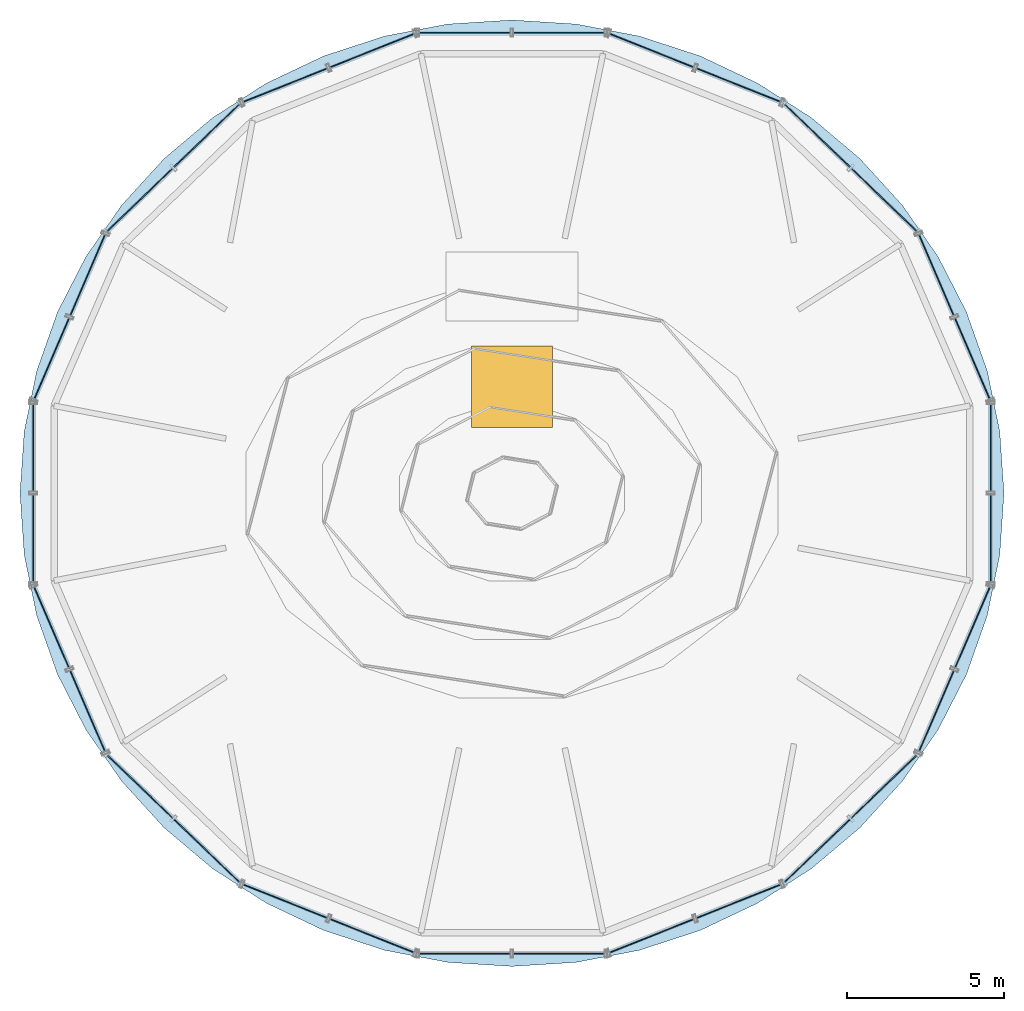
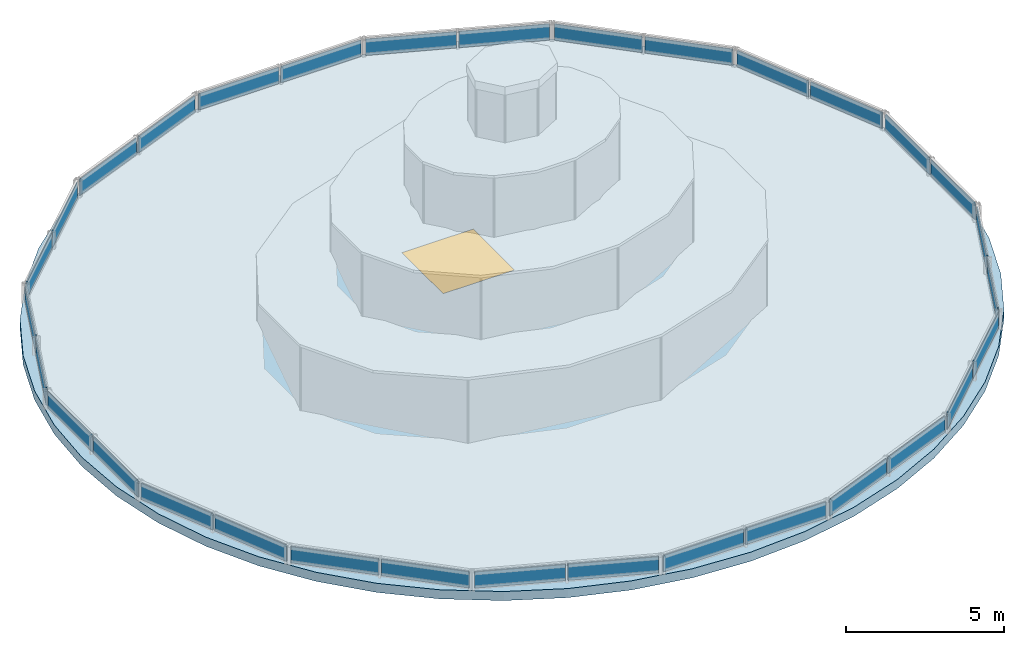
# One storey, part 7 of 8: 32 plates, 1 slab, 1 window, 1 opening, 16 elements without a shape of their own.
"""IFC4 building model written with IfcOpenShell, lengths in metres."""

from ifc_helpers import new_model, si_unit, direction, frame, origin, origin_2d, place, context, subcontext, project, spatial, polyline, rectangle, outline, extrude, source, transform, mapped, material, layer, layer_set, type_object, element, fill, aggregate, save


model = new_model("IFC4")

# Units and contexts
model_context = context("Model", 3, precision=1e-05, world=origin(), true_north=direction((-0.2419218956, 0.970295726276)))
body_context = subcontext(model_context, "Body", "Model", "MODEL_VIEW")
ifc_project = project(units=[si_unit("LENGTHUNIT", "METRE"), si_unit("AREAUNIT", "SQUARE_METRE"), si_unit("VOLUMEUNIT", "CUBIC_METRE"), si_unit("PLANEANGLEUNIT", "RADIAN"), si_unit("MASSUNIT", "GRAM", prefix="KILO")], contexts=[model_context])

# Site, building, storey
site_placement = place(None, origin())
site = spatial("IfcSite", under=ifc_project, at=site_placement, CompositionType="ELEMENT")
building_placement = place(site_placement, origin())
building = spatial("IfcBuilding", under=site, at=building_placement, Name="Cobrevalo Terracotta Tower", CompositionType="ELEMENT")
storey_placement = place(building_placement, frame((0.0, 0.0, 337.300048828125)))
storey = spatial("IfcBuildingStorey", under=building, at=storey_placement, Name="RF", CompositionType="ELEMENT", Elevation=337.300048828125)

# Slab, opening, window
ifc_material_1 = material(Name="Concrete C50", Category="concrete")
ifc_layer_1 = layer(ifc_material_1, 0.35009765625)
ifc_layer_set_1 = layer_set([ifc_layer_1], Name="Concrete C50")
slab_type = type_object("IfcSlabType", Name="Crown apex cap roof slab 350 mm", PredefinedType="ROOF", material=ifc_layer_set_1)
slab_placement = place(storey_placement, frame((0.0, 0.0, -0.35009765625)))
slab = element("IfcSlab", 1, at=slab_placement, inside=storey, type_object=slab_type, Name="RF faceted crown apex roof cap slab", PredefinedType="ROOF", context=body_context, shape_type="SweptSolid", body=[
    extrude(outline(polyline([(53.565673828125, 24.8291015625), (53.1650390625, 22.891845703125), (52.5048828125, 21.021484375), (51.5966796875, 19.25), (50.45556640625, 17.607666015625), (49.1015625, 16.122802734375), (47.5576171875, 14.8203125), (45.85009765625, 13.722900390625), (44.008056640625, 12.849365234375), (42.0634765625, 12.214599609375), (40.04931640625, 11.8291015625), (38.0, 11.699951171875), (35.95068359375, 11.8291015625), (33.9365234375, 12.214599609375), (31.991943359375, 12.849365234375), (30.14990234375, 13.722900390625), (28.4423828125, 14.8203125), (26.8984375, 16.122802734375), (25.54443359375, 17.607666015625), (24.4033203125, 19.25), (23.4951171875, 21.021484375), (22.8349609375, 22.891845703125), (22.434326171875, 24.8291015625), (22.300048828125, 26.800048828125), (22.434326171875, 28.77099609375), (22.8349609375, 30.708251953125), (23.4951171875, 32.57861328125), (24.4033203125, 34.35009765625), (25.54443359375, 35.9921875), (26.8984375, 37.477294921875), (28.4423828125, 38.779541015625), (30.14990234375, 39.876953125), (31.991943359375, 40.75048828125), (33.9365234375, 41.385498046875), (35.95068359375, 41.770751953125), (38.0, 41.89990234375), (40.04931640625, 41.770751953125), (42.0634765625, 41.385498046875), (44.008056640625, 40.75048828125), (45.85009765625, 39.876953125), (47.5576171875, 38.779541015625), (49.1015625, 37.477294921875), (50.45556640625, 35.9921875), (51.5966796875, 34.35009765625), (52.5048828125, 32.57861328125), (53.1650390625, 30.708251953125), (53.565673828125, 28.77099609375), (53.699951171875, 26.800048828125), (53.565673828125, 24.8291015625)]), holes=[polyline([(39.300048828125, 28.89990234375), (39.300048828125, 31.5), (36.699951171875, 31.5), (36.699951171875, 28.89990234375), (39.300048828125, 28.89990234375)])]), origin(), (0.0, 0.0, 1.0), 0.35009765625),
])
opening_placement = place(slab_placement, frame((38.0, 30.199951171875, 0.0)))
opening = element("IfcOpeningElement", 2, at=opening_placement, cuts=slab, Name="Opening WN-03", PredefinedType="OPENING", context=body_context, shape_type="SweptSolid", body=[
    extrude(rectangle(XDim=2.60009765625, YDim=2.60009765625, at=origin_2d()), origin(), (0.0, 0.0, 1.0), 0.35009765625),
])
ifc_material_2 = material(Name="Solar-control low-E double glazing", Category="glass")
window_type = type_object("IfcWindowType", Name="Crown apex lantern glass skylight 2600x2600", PartitioningType="SINGLE_PANEL", PredefinedType="SKYLIGHT", material=ifc_material_2)
window_placement = place(opening_placement, frame((0.0, 0.0, 0.31005859375)))
window = element("IfcWindow", 3, at=window_placement, inside=storey, type_object=window_type, Name="RF crown apex lantern skylight", OverallHeight=2.60009765625, OverallWidth=2.60009765625, PartitioningType="SINGLE_PANEL", PredefinedType="SKYLIGHT", context=body_context, shape_type="SweptSolid", body=[
    extrude(rectangle(XDim=2.60009765625, YDim=2.60009765625, at=origin_2d()), origin(), (0.0, 0.0, 1.0), 0.0400390625),
])
fill(opening, window)

# Curtain wall, plates
ifc_material_3 = material(Name="Anodized aluminium", Category="aluminium")
curtain_wall_type = type_object("IfcCurtainWallType", Name="Faceted glass-point crown structural glazing system CW-CR", PredefinedType="NOTDEFINED", material=ifc_material_3)
curtain_wall_1_placement = place(storey_placement, origin())
curtain_wall_1 = element("IfcCurtainWall", 4, at=curtain_wall_1_placement, inside=storey, type_object=curtain_wall_type, Name="RF curtain wall CW-CRN-RF-S01", PredefinedType="NOTDEFINED")
ifc_material_4 = material(Name="Structural laminated low-iron crown glass", Category="glass")
ifc_layer_2 = layer(ifc_material_4, 0.035888671875)
ifc_layer_set_2 = layer_set([ifc_layer_2], Name="Structural laminated low-iron crown glass")
plate_type = type_object("IfcPlateType", Name="Crown faceted low-iron laminated glass panel 36 mm", PredefinedType="CURTAIN_PANEL", material=ifc_layer_set_2)
shared_shape_1 = source(origin(), body_context, "Body", "SweptSolid", [
    extrude(rectangle(XDim=2.81982421875, YDim=0.035888671875, at=origin_2d()), origin(), (0.0, 0.0, 1.0), 0.6201171875),
])
plate_1_placement = place(storey_placement, frame((52.691162109375, 31.0908203125, 0.039794921875), z_axis=(0.0, 0.0, 1.0), x_axis=(-0.395651297367, 0.918400811679, 0.0)))
plate_1 = element("IfcPlate", 5, at=plate_1_placement, type_object=plate_type, Name="CW-CRN-RF-S01 glazing panel B01", PredefinedType="CURTAIN_PANEL", context=body_context, shape_type="MappedRepresentation", body=[
    mapped(shared_shape_1, transform((0.0, 0.0, 0.0), scale=1.0)),
])
plate_2_placement = place(storey_placement, frame((51.543701171875, 33.754150390625, 0.039794921875), z_axis=(0.0, 0.0, 1.0), x_axis=(-0.395651297367, 0.918400811679, 0.0)))
plate_2 = element("IfcPlate", 6, at=plate_2_placement, type_object=plate_type, Name="CW-CRN-RF-S01 glazing panel B02", PredefinedType="CURTAIN_PANEL", context=body_context, shape_type="MappedRepresentation", body=[
    mapped(shared_shape_1, transform((0.0, 0.0, 0.0), scale=1.0)),
])
aggregate(curtain_wall_1, [plate_1, plate_2])

curtain_wall_2_placement = place(storey_placement, origin())
curtain_wall_2 = element("IfcCurtainWall", 7, at=curtain_wall_2_placement, inside=storey, type_object=curtain_wall_type, Name="RF curtain wall CW-CRN-RF-S07", PredefinedType="NOTDEFINED")
plate_3_placement = place(storey_placement, frame((24.456298828125, 33.754150390625, 0.039794921875), z_axis=(0.0, 0.0, 1.0), x_axis=(-0.395651297367, -0.918400811679, 0.0)))
plate_3 = element("IfcPlate", 8, at=plate_3_placement, type_object=plate_type, Name="CW-CRN-RF-S07 glazing panel B01", PredefinedType="CURTAIN_PANEL", context=body_context, shape_type="MappedRepresentation", body=[
    mapped(shared_shape_1, transform((0.0, 0.0, 0.0), scale=1.0)),
])
plate_4_placement = place(storey_placement, frame((23.308837890625, 31.0908203125, 0.039794921875), z_axis=(0.0, 0.0, 1.0), x_axis=(-0.395651297367, -0.918400811679, 0.0)))
plate_4 = element("IfcPlate", 9, at=plate_4_placement, type_object=plate_type, Name="CW-CRN-RF-S07 glazing panel B02", PredefinedType="CURTAIN_PANEL", context=body_context, shape_type="MappedRepresentation", body=[
    mapped(shared_shape_1, transform((0.0, 0.0, 0.0), scale=1.0)),
])
aggregate(curtain_wall_2, [plate_3, plate_4])

curtain_wall_3_placement = place(storey_placement, origin())
curtain_wall_3 = element("IfcCurtainWall", 10, at=curtain_wall_3_placement, inside=storey, type_object=curtain_wall_type, Name="RF curtain wall CW-CRN-RF-S09", PredefinedType="NOTDEFINED")
plate_5_placement = place(storey_placement, frame((23.308837890625, 22.50927734375, 0.039794921875), z_axis=(0.0, 0.0, 1.0), x_axis=(0.395651297367, -0.918400811679, 0.0)))
plate_5 = element("IfcPlate", 11, at=plate_5_placement, type_object=plate_type, Name="CW-CRN-RF-S09 glazing panel B01", PredefinedType="CURTAIN_PANEL", context=body_context, shape_type="MappedRepresentation", body=[
    mapped(shared_shape_1, transform((0.0, 0.0, 0.0), scale=1.0)),
])
plate_6_placement = place(storey_placement, frame((24.456298828125, 19.845947265625, 0.039794921875), z_axis=(0.0, 0.0, 1.0), x_axis=(0.395651297367, -0.918400811679, 0.0)))
plate_6 = element("IfcPlate", 12, at=plate_6_placement, type_object=plate_type, Name="CW-CRN-RF-S09 glazing panel B02", PredefinedType="CURTAIN_PANEL", context=body_context, shape_type="MappedRepresentation", body=[
    mapped(shared_shape_1, transform((0.0, 0.0, 0.0), scale=1.0)),
])
aggregate(curtain_wall_3, [plate_5, plate_6])

curtain_wall_4_placement = place(storey_placement, origin())
curtain_wall_4 = element("IfcCurtainWall", 13, at=curtain_wall_4_placement, inside=storey, type_object=curtain_wall_type, Name="RF curtain wall CW-CRN-RF-S15", PredefinedType="NOTDEFINED")
plate_7_placement = place(storey_placement, frame((51.543701171875, 19.845947265625, 0.039794921875), z_axis=(0.0, 0.0, 1.0), x_axis=(0.395651297367, 0.918400811679, 0.0)))
plate_7 = element("IfcPlate", 14, at=plate_7_placement, type_object=plate_type, Name="CW-CRN-RF-S15 glazing panel B01", PredefinedType="CURTAIN_PANEL", context=body_context, shape_type="MappedRepresentation", body=[
    mapped(shared_shape_1, transform((0.0, 0.0, 0.0), scale=1.0)),
])
plate_8_placement = place(storey_placement, frame((52.691162109375, 22.50927734375, 0.039794921875), z_axis=(0.0, 0.0, 1.0), x_axis=(0.395651297367, 0.918400811679, 0.0)))
plate_8 = element("IfcPlate", 15, at=plate_8_placement, type_object=plate_type, Name="CW-CRN-RF-S15 glazing panel B02", PredefinedType="CURTAIN_PANEL", context=body_context, shape_type="MappedRepresentation", body=[
    mapped(shared_shape_1, transform((0.0, 0.0, 0.0), scale=1.0)),
])
aggregate(curtain_wall_4, [plate_7, plate_8])

curtain_wall_5_placement = place(storey_placement, origin())
curtain_wall_5 = element("IfcCurtainWall", 16, at=curtain_wall_5_placement, inside=storey, type_object=curtain_wall_type, Name="RF curtain wall CW-CRN-RF-S02", PredefinedType="NOTDEFINED")
shared_shape_2 = source(origin(), body_context, "Body", "SweptSolid", [
    extrude(rectangle(XDim=2.861572265625, YDim=0.035888671875, at=origin_2d()), origin(), (0.0, 0.0, 1.0), 0.6201171875),
])
plate_9_placement = place(storey_placement, frame((49.865234375, 36.16943359375, 0.039794921875), z_axis=(0.0, 0.0, 1.0), x_axis=(-0.720851177367, 0.693089878795, 0.0)))
plate_9 = element("IfcPlate", 17, at=plate_9_placement, type_object=plate_type, Name="CW-CRN-RF-S02 glazing panel B01", PredefinedType="CURTAIN_PANEL", context=body_context, shape_type="MappedRepresentation", body=[
    mapped(shared_shape_2, transform((0.0, 0.0, 0.0), scale=1.0)),
])
plate_10_placement = place(storey_placement, frame((47.744873046875, 38.208251953125, 0.039794921875), z_axis=(0.0, 0.0, 1.0), x_axis=(-0.720851177367, 0.693089878795, 0.0)))
plate_10 = element("IfcPlate", 18, at=plate_10_placement, type_object=plate_type, Name="CW-CRN-RF-S02 glazing panel B02", PredefinedType="CURTAIN_PANEL", context=body_context, shape_type="MappedRepresentation", body=[
    mapped(shared_shape_2, transform((0.0, 0.0, 0.0), scale=1.0)),
])
aggregate(curtain_wall_5, [plate_9, plate_10])

curtain_wall_6_placement = place(storey_placement, origin())
curtain_wall_6 = element("IfcCurtainWall", 19, at=curtain_wall_6_placement, inside=storey, type_object=curtain_wall_type, Name="RF curtain wall CW-CRN-RF-S06", PredefinedType="NOTDEFINED")
plate_11_placement = place(storey_placement, frame((28.255126953125, 38.208251953125, 0.039794921875), z_axis=(0.0, 0.0, 1.0), x_axis=(-0.720851177367, -0.693089878795, 0.0)))
plate_11 = element("IfcPlate", 20, at=plate_11_placement, type_object=plate_type, Name="CW-CRN-RF-S06 glazing panel B01", PredefinedType="CURTAIN_PANEL", context=body_context, shape_type="MappedRepresentation", body=[
    mapped(shared_shape_2, transform((0.0, 0.0, 0.0), scale=1.0)),
])
plate_12_placement = place(storey_placement, frame((26.134765625, 36.16943359375, 0.039794921875), z_axis=(0.0, 0.0, 1.0), x_axis=(-0.720851177367, -0.693089878795, 0.0)))
plate_12 = element("IfcPlate", 21, at=plate_12_placement, type_object=plate_type, Name="CW-CRN-RF-S06 glazing panel B02", PredefinedType="CURTAIN_PANEL", context=body_context, shape_type="MappedRepresentation", body=[
    mapped(shared_shape_2, transform((0.0, 0.0, 0.0), scale=1.0)),
])
aggregate(curtain_wall_6, [plate_11, plate_12])

curtain_wall_7_placement = place(storey_placement, origin())
curtain_wall_7 = element("IfcCurtainWall", 22, at=curtain_wall_7_placement, inside=storey, type_object=curtain_wall_type, Name="RF curtain wall CW-CRN-RF-S10", PredefinedType="NOTDEFINED")
plate_13_placement = place(storey_placement, frame((26.134765625, 17.430419921875, 0.039794921875), z_axis=(0.0, 0.0, 1.0), x_axis=(0.720851177367, -0.693089878795, 0.0)))
plate_13 = element("IfcPlate", 23, at=plate_13_placement, type_object=plate_type, Name="CW-CRN-RF-S10 glazing panel B01", PredefinedType="CURTAIN_PANEL", context=body_context, shape_type="MappedRepresentation", body=[
    mapped(shared_shape_2, transform((0.0, 0.0, 0.0), scale=1.0)),
])
plate_14_placement = place(storey_placement, frame((28.255126953125, 15.3916015625, 0.039794921875), z_axis=(0.0, 0.0, 1.0), x_axis=(0.720851177367, -0.693089878795, 0.0)))
plate_14 = element("IfcPlate", 24, at=plate_14_placement, type_object=plate_type, Name="CW-CRN-RF-S10 glazing panel B02", PredefinedType="CURTAIN_PANEL", context=body_context, shape_type="MappedRepresentation", body=[
    mapped(shared_shape_2, transform((0.0, 0.0, 0.0), scale=1.0)),
])
aggregate(curtain_wall_7, [plate_13, plate_14])

curtain_wall_8_placement = place(storey_placement, origin())
curtain_wall_8 = element("IfcCurtainWall", 25, at=curtain_wall_8_placement, inside=storey, type_object=curtain_wall_type, Name="RF curtain wall CW-CRN-RF-S14", PredefinedType="NOTDEFINED")
plate_15_placement = place(storey_placement, frame((47.744873046875, 15.3916015625, 0.039794921875), z_axis=(0.0, 0.0, 1.0), x_axis=(0.720851177367, 0.693089878795, 0.0)))
plate_15 = element("IfcPlate", 26, at=plate_15_placement, type_object=plate_type, Name="CW-CRN-RF-S14 glazing panel B01", PredefinedType="CURTAIN_PANEL", context=body_context, shape_type="MappedRepresentation", body=[
    mapped(shared_shape_2, transform((0.0, 0.0, 0.0), scale=1.0)),
])
plate_16_placement = place(storey_placement, frame((49.865234375, 17.430419921875, 0.039794921875), z_axis=(0.0, 0.0, 1.0), x_axis=(0.720851177367, 0.693089878795, 0.0)))
plate_16 = element("IfcPlate", 27, at=plate_16_placement, type_object=plate_type, Name="CW-CRN-RF-S14 glazing panel B02", PredefinedType="CURTAIN_PANEL", context=body_context, shape_type="MappedRepresentation", body=[
    mapped(shared_shape_2, transform((0.0, 0.0, 0.0), scale=1.0)),
])
aggregate(curtain_wall_8, [plate_15, plate_16])

curtain_wall_9_placement = place(storey_placement, origin())
curtain_wall_9 = element("IfcCurtainWall", 28, at=curtain_wall_9_placement, inside=storey, type_object=curtain_wall_type, Name="RF curtain wall CW-CRN-RF-S03", PredefinedType="NOTDEFINED")
shared_shape_3 = source(origin(), body_context, "Body", "SweptSolid", [
    extrude(rectangle(XDim=2.902587890625, YDim=0.035888671875, at=origin_2d()), origin(), (0.0, 0.0, 1.0), 0.6201171875),
])
plate_17_placement = place(storey_placement, frame((45.233154296875, 39.822021484375, 0.039794921875), z_axis=(0.0, 0.0, 1.0), x_axis=(-0.929032511412, 0.369998098291, 0.0)))
plate_17 = element("IfcPlate", 29, at=plate_17_placement, type_object=plate_type, Name="CW-CRN-RF-S03 glazing panel B01", PredefinedType="CURTAIN_PANEL", context=body_context, shape_type="MappedRepresentation", body=[
    mapped(shared_shape_3, transform((0.0, 0.0, 0.0), scale=1.0)),
])
plate_18_placement = place(storey_placement, frame((42.462158203125, 40.925537109375, 0.039794921875), z_axis=(0.0, 0.0, 1.0), x_axis=(-0.929032511412, 0.369998098291, 0.0)))
plate_18 = element("IfcPlate", 30, at=plate_18_placement, type_object=plate_type, Name="CW-CRN-RF-S03 glazing panel B02", PredefinedType="CURTAIN_PANEL", context=body_context, shape_type="MappedRepresentation", body=[
    mapped(shared_shape_3, transform((0.0, 0.0, 0.0), scale=1.0)),
])
aggregate(curtain_wall_9, [plate_17, plate_18])

curtain_wall_10_placement = place(storey_placement, origin())
curtain_wall_10 = element("IfcCurtainWall", 31, at=curtain_wall_10_placement, inside=storey, type_object=curtain_wall_type, Name="RF curtain wall CW-CRN-RF-S05", PredefinedType="NOTDEFINED")
plate_19_placement = place(storey_placement, frame((33.537841796875, 40.925537109375, 0.039794921875), z_axis=(0.0, 0.0, 1.0), x_axis=(-0.929032511412, -0.369998098291, 0.0)))
plate_19 = element("IfcPlate", 32, at=plate_19_placement, type_object=plate_type, Name="CW-CRN-RF-S05 glazing panel B01", PredefinedType="CURTAIN_PANEL", context=body_context, shape_type="MappedRepresentation", body=[
    mapped(shared_shape_3, transform((0.0, 0.0, 0.0), scale=1.0)),
])
plate_20_placement = place(storey_placement, frame((30.766845703125, 39.822021484375, 0.039794921875), z_axis=(0.0, 0.0, 1.0), x_axis=(-0.929032511412, -0.369998098291, 0.0)))
plate_20 = element("IfcPlate", 33, at=plate_20_placement, type_object=plate_type, Name="CW-CRN-RF-S05 glazing panel B02", PredefinedType="CURTAIN_PANEL", context=body_context, shape_type="MappedRepresentation", body=[
    mapped(shared_shape_3, transform((0.0, 0.0, 0.0), scale=1.0)),
])
aggregate(curtain_wall_10, [plate_19, plate_20])

curtain_wall_11_placement = place(storey_placement, origin())
curtain_wall_11 = element("IfcCurtainWall", 34, at=curtain_wall_11_placement, inside=storey, type_object=curtain_wall_type, Name="RF curtain wall CW-CRN-RF-S11", PredefinedType="NOTDEFINED")
plate_21_placement = place(storey_placement, frame((30.766845703125, 13.778076171875, 0.039794921875), z_axis=(0.0, 0.0, 1.0), x_axis=(0.929032511412, -0.369998098291, 0.0)))
plate_21 = element("IfcPlate", 35, at=plate_21_placement, type_object=plate_type, Name="CW-CRN-RF-S11 glazing panel B01", PredefinedType="CURTAIN_PANEL", context=body_context, shape_type="MappedRepresentation", body=[
    mapped(shared_shape_3, transform((0.0, 0.0, 0.0), scale=1.0)),
])
plate_22_placement = place(storey_placement, frame((33.537841796875, 12.67431640625, 0.039794921875), z_axis=(0.0, 0.0, 1.0), x_axis=(0.929032511412, -0.369998098291, 0.0)))
plate_22 = element("IfcPlate", 36, at=plate_22_placement, type_object=plate_type, Name="CW-CRN-RF-S11 glazing panel B02", PredefinedType="CURTAIN_PANEL", context=body_context, shape_type="MappedRepresentation", body=[
    mapped(shared_shape_3, transform((0.0, 0.0, 0.0), scale=1.0)),
])
aggregate(curtain_wall_11, [plate_21, plate_22])

curtain_wall_12_placement = place(storey_placement, origin())
curtain_wall_12 = element("IfcCurtainWall", 37, at=curtain_wall_12_placement, inside=storey, type_object=curtain_wall_type, Name="RF curtain wall CW-CRN-RF-S13", PredefinedType="NOTDEFINED")
plate_23_placement = place(storey_placement, frame((42.462158203125, 12.67431640625, 0.039794921875), z_axis=(0.0, 0.0, 1.0), x_axis=(0.929032511412, 0.369998098291, 0.0)))
plate_23 = element("IfcPlate", 38, at=plate_23_placement, type_object=plate_type, Name="CW-CRN-RF-S13 glazing panel B01", PredefinedType="CURTAIN_PANEL", context=body_context, shape_type="MappedRepresentation", body=[
    mapped(shared_shape_3, transform((0.0, 0.0, 0.0), scale=1.0)),
])
plate_24_placement = place(storey_placement, frame((45.233154296875, 13.778076171875, 0.039794921875), z_axis=(0.0, 0.0, 1.0), x_axis=(0.929032511412, 0.369998098291, 0.0)))
plate_24 = element("IfcPlate", 39, at=plate_24_placement, type_object=plate_type, Name="CW-CRN-RF-S13 glazing panel B02", PredefinedType="CURTAIN_PANEL", context=body_context, shape_type="MappedRepresentation", body=[
    mapped(shared_shape_3, transform((0.0, 0.0, 0.0), scale=1.0)),
])
aggregate(curtain_wall_12, [plate_23, plate_24])

curtain_wall_13_placement = place(storey_placement, origin())
curtain_wall_13 = element("IfcCurtainWall", 40, at=curtain_wall_13_placement, inside=storey, type_object=curtain_wall_type, Name="RF curtain wall CW-CRN-RF-S04", PredefinedType="NOTDEFINED")
shared_shape_4 = source(origin(), body_context, "Body", "SweptSolid", [
    extrude(rectangle(XDim=2.91943359375, YDim=0.035888671875, at=origin_2d()), origin(), (0.0, 0.0, 1.0), 0.6201171875),
])
plate_25_placement = place(storey_placement, frame((39.499755859375, 41.4921875, 0.039794921875), z_axis=(0.0, 0.0, 1.0), x_axis=(-1.0, 0.0, 0.0)))
plate_25 = element("IfcPlate", 41, at=plate_25_placement, type_object=plate_type, Name="CW-CRN-RF-S04 glazing panel B01", PredefinedType="CURTAIN_PANEL", context=body_context, shape_type="MappedRepresentation", body=[
    mapped(shared_shape_4, transform((0.0, 0.0, 0.0), scale=1.0)),
])
plate_26_placement = place(storey_placement, frame((36.500244140625, 41.4921875, 0.039794921875), z_axis=(0.0, 0.0, 1.0), x_axis=(-1.0, 0.0, 0.0)))
plate_26 = element("IfcPlate", 42, at=plate_26_placement, type_object=plate_type, Name="CW-CRN-RF-S04 glazing panel B02", PredefinedType="CURTAIN_PANEL", context=body_context, shape_type="MappedRepresentation", body=[
    mapped(shared_shape_4, transform((0.0, 0.0, 0.0), scale=1.0)),
])
aggregate(curtain_wall_13, [plate_25, plate_26])

curtain_wall_14_placement = place(storey_placement, origin())
curtain_wall_14 = element("IfcCurtainWall", 43, at=curtain_wall_14_placement, inside=storey, type_object=curtain_wall_type, Name="RF curtain wall CW-CRN-RF-S12", PredefinedType="NOTDEFINED")
plate_27_placement = place(storey_placement, frame((36.500244140625, 12.10791015625, 0.039794921875), z_axis=(0.0, 0.0, 1.0), x_axis=(1.0, 0.0, 0.0)))
plate_27 = element("IfcPlate", 44, at=plate_27_placement, type_object=plate_type, Name="CW-CRN-RF-S12 glazing panel B01", PredefinedType="CURTAIN_PANEL", context=body_context, shape_type="MappedRepresentation", body=[
    mapped(shared_shape_4, transform((0.0, 0.0, 0.0), scale=1.0)),
])
plate_28_placement = place(storey_placement, frame((39.499755859375, 12.10791015625, 0.039794921875), z_axis=(0.0, 0.0, 1.0), x_axis=(1.0, 0.0, 0.0)))
plate_28 = element("IfcPlate", 45, at=plate_28_placement, type_object=plate_type, Name="CW-CRN-RF-S12 glazing panel B02", PredefinedType="CURTAIN_PANEL", context=body_context, shape_type="MappedRepresentation", body=[
    mapped(shared_shape_4, transform((0.0, 0.0, 0.0), scale=1.0)),
])
aggregate(curtain_wall_14, [plate_27, plate_28])

curtain_wall_15_placement = place(storey_placement, origin())
curtain_wall_15 = element("IfcCurtainWall", 46, at=curtain_wall_15_placement, inside=storey, type_object=curtain_wall_type, Name="RF curtain wall CW-CRN-RF-S08", PredefinedType="NOTDEFINED")
shared_shape_5 = source(origin(), body_context, "Body", "SweptSolid", [
    extrude(rectangle(XDim=2.802490234375, YDim=0.035888671875, at=origin_2d()), origin(), (0.0, 0.0, 1.0), 0.6201171875),
])
plate_29_placement = place(storey_placement, frame((22.719482421875, 28.2412109375, 0.039794921875), z_axis=(0.0, 0.0, 1.0), x_axis=(0.0, -1.0, 0.0)))
plate_29 = element("IfcPlate", 47, at=plate_29_placement, type_object=plate_type, Name="CW-CRN-RF-S08 glazing panel B01", PredefinedType="CURTAIN_PANEL", context=body_context, shape_type="MappedRepresentation", body=[
    mapped(shared_shape_5, transform((0.0, 0.0, 0.0), scale=1.0)),
])
plate_30_placement = place(storey_placement, frame((22.719482421875, 25.35888671875, 0.039794921875), z_axis=(0.0, 0.0, 1.0), x_axis=(0.0, -1.0, 0.0)))
plate_30 = element("IfcPlate", 48, at=plate_30_placement, type_object=plate_type, Name="CW-CRN-RF-S08 glazing panel B02", PredefinedType="CURTAIN_PANEL", context=body_context, shape_type="MappedRepresentation", body=[
    mapped(shared_shape_5, transform((0.0, 0.0, 0.0), scale=1.0)),
])
aggregate(curtain_wall_15, [plate_29, plate_30])

curtain_wall_16_placement = place(storey_placement, origin())
curtain_wall_16 = element("IfcCurtainWall", 49, at=curtain_wall_16_placement, inside=storey, type_object=curtain_wall_type, Name="RF curtain wall CW-CRN-RF-S16", PredefinedType="NOTDEFINED")
plate_31_placement = place(storey_placement, frame((53.280517578125, 25.35888671875, 0.039794921875), z_axis=(0.0, 0.0, 1.0), x_axis=(0.0, 1.0, 0.0)))
plate_31 = element("IfcPlate", 50, at=plate_31_placement, type_object=plate_type, Name="CW-CRN-RF-S16 glazing panel B01", PredefinedType="CURTAIN_PANEL", context=body_context, shape_type="MappedRepresentation", body=[
    mapped(shared_shape_5, transform((0.0, 0.0, 0.0), scale=1.0)),
])
plate_32_placement = place(storey_placement, frame((53.280517578125, 28.2412109375, 0.039794921875), z_axis=(0.0, 0.0, 1.0), x_axis=(0.0, 1.0, 0.0)))
plate_32 = element("IfcPlate", 51, at=plate_32_placement, type_object=plate_type, Name="CW-CRN-RF-S16 glazing panel B02", PredefinedType="CURTAIN_PANEL", context=body_context, shape_type="MappedRepresentation", body=[
    mapped(shared_shape_5, transform((0.0, 0.0, 0.0), scale=1.0)),
])
aggregate(curtain_wall_16, [plate_31, plate_32])

save(model, "model.ifc")
